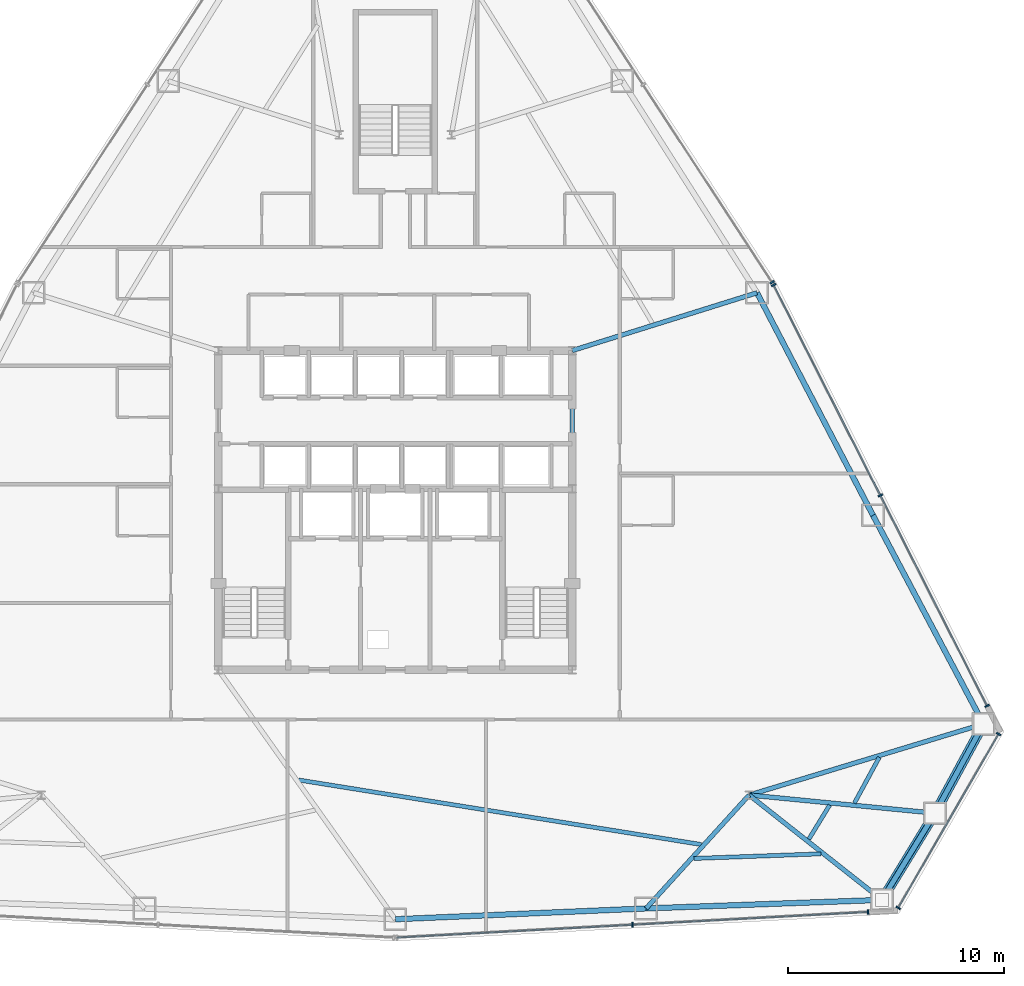
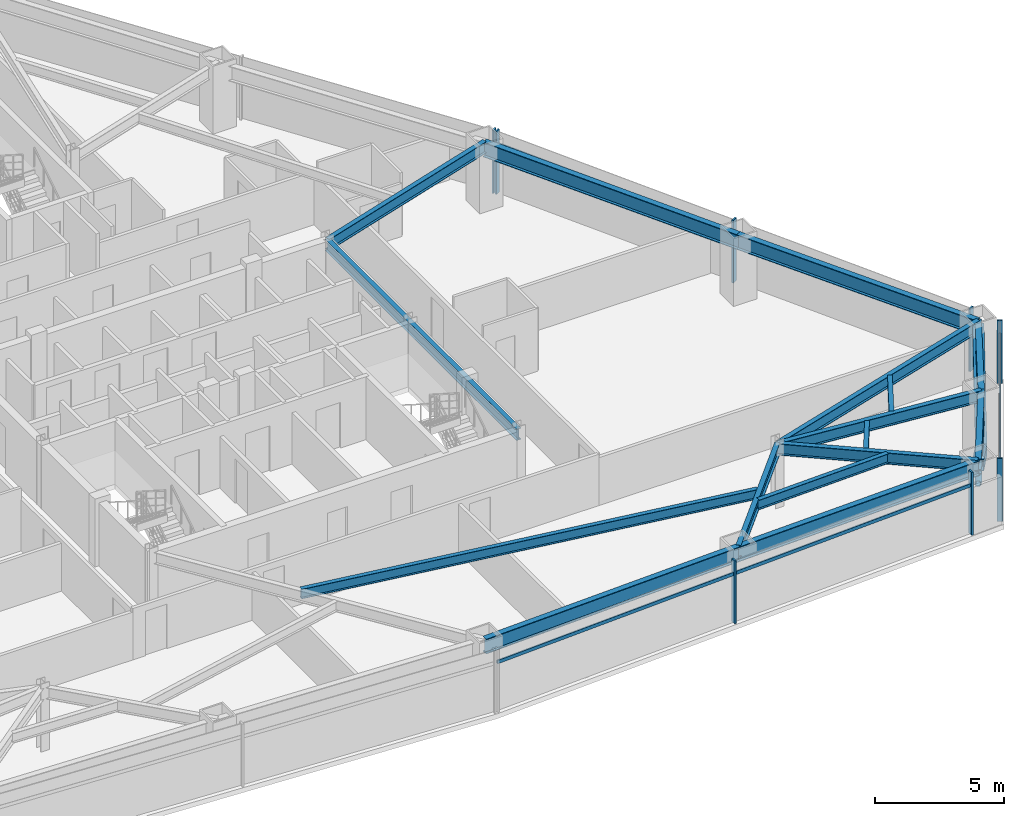
# One storey, part 6 of 12: 16 beams, 14 members, 4 elements without a shape of their own.
"""IFC4 building model written with IfcOpenShell, lengths in metres."""

from ifc_helpers import new_model, si_unit, direction, frame, origin, origin_2d, place, context, subcontext, project, spatial, rectangle, hollow_rectangle, hollow_circle, i_section, extrude, source, transform, mapped, material, layer, layer_set, material_profile, profile_set, type_object, type_shapes, element, aggregate, save


model = new_model("IFC4")

# Units and contexts
model_context = context("Model", 3, precision=1e-05, world=origin(), true_north=direction((0.0, 1.0)))
body_context = subcontext(model_context, "Body", "Model", "MODEL_VIEW")
ifc_project = project(units=[si_unit("LENGTHUNIT", "METRE"), si_unit("AREAUNIT", "SQUARE_METRE"), si_unit("VOLUMEUNIT", "CUBIC_METRE"), si_unit("PLANEANGLEUNIT", "RADIAN"), si_unit("MASSUNIT", "GRAM", prefix="KILO")], contexts=[model_context])

# Site, building, storey
site_placement = place(None, origin())
site = spatial("IfcSite", under=ifc_project, at=site_placement, CompositionType="ELEMENT")
building_placement = place(site_placement, origin())
building = spatial("IfcBuilding", under=site, at=building_placement, Name="Varakhsha Concourse Tower", CompositionType="ELEMENT")
storey_placement = place(building_placement, frame((0.0, 0.0, 76.60009765625)))
storey = spatial("IfcBuildingStorey", under=building, at=storey_placement, Name="L21", CompositionType="ELEMENT", Elevation=76.60009765625)

# Beams
ifc_material_1 = material(Name="Structural Steel ASTM A992 Grade 50", Category="steel")
ifc_material_profile_1 = material_profile(ifc_material_1, i_section(OverallWidth=0.19091796875, OverallDepth=0.45703125, WebThickness=0.009033203125, FlangeThickness=0.013916015625, at=origin_2d()), Name="W18X50")
ifc_profile_set_1 = profile_set([ifc_material_profile_1], Name="Structural Steel ASTM A992 Grade 50")
beam_type_1 = type_object("IfcBeamType", Name="BM-JST-W18X50", PredefinedType="JOIST", material=ifc_profile_set_1)
beam_1_placement = place(storey_placement, frame((35.5166015625, 11.2978515625, 2.741455078125), z_axis=(0.987396525677, -0.158265918886, 0.0), x_axis=(0.158265918886, 0.987396525677, 0.0)))
element("IfcBeam", 1, at=beam_1_placement, inside=storey, type_object=beam_type_1, Name="BM-TJST-L21-11", PredefinedType="JOIST", context=body_context, shape_type="SweptSolid", body=[
    extrude(i_section(OverallWidth=0.19091796875, OverallDepth=0.45703125, WebThickness=0.009033203125, FlangeThickness=0.013916015625, at=origin_2d()), origin(), (0.0, 0.0, 1.0), 18.91064453125),
])
beam_2_placement = place(storey_placement, frame((53.834228515625, 7.660888671875, 2.741455078125), z_axis=(0.999342904679, 0.036245811721, 0.0), x_axis=(-0.036245811721, 0.999342904679, 0.0)))
element("IfcBeam", 2, at=beam_2_placement, inside=storey, type_object=beam_type_1, Name="BM-TJST-L21-12", PredefinedType="JOIST", context=body_context, shape_type="SweptSolid", body=[
    extrude(i_section(OverallWidth=0.19091796875, OverallDepth=0.45703125, WebThickness=0.009033203125, FlangeThickness=0.013916015625, at=origin_2d()), origin(), (0.0, 0.0, 1.0), 5.9072265625),
])
beam_3_placement = place(storey_placement, frame((59.166015625, 8.555908203125, 2.741455078125), z_axis=(0.521727239591, 0.853112353368, 0.0), x_axis=(-0.853112353368, 0.521727239591, 0.0)))
element("IfcBeam", 3, at=beam_3_placement, inside=storey, type_object=beam_type_1, Name="BM-TJST-L21-13", PredefinedType="JOIST", context=body_context, shape_type="SweptSolid", body=[
    extrude(i_section(OverallWidth=0.19091796875, OverallDepth=0.45703125, WebThickness=0.009033203125, FlangeThickness=0.013916015625, at=origin_2d()), origin(), (0.0, 0.0, 1.0), 1.85205078125),
])
beam_4_placement = place(storey_placement, frame((61.27587890625, 10.2255859375, 2.741455078125), z_axis=(0.478009855634, 0.878354471678, 0.0), x_axis=(-0.878354471678, 0.478009855634, 0.0)))
element("IfcBeam", 4, at=beam_4_placement, inside=storey, type_object=beam_type_1, Name="BM-TJST-L21-14", PredefinedType="JOIST", context=body_context, shape_type="SweptSolid", body=[
    extrude(i_section(OverallWidth=0.19091796875, OverallDepth=0.45703125, WebThickness=0.009033203125, FlangeThickness=0.013916015625, at=origin_2d()), origin(), (0.0, 0.0, 1.0), 2.417236328125),
])
ifc_material_profile_2 = material_profile(ifc_material_1, i_section(OverallWidth=0.2109375, OverallDepth=0.5390625, WebThickness=0.011962890625, FlangeThickness=0.01904296875, at=origin_2d()), Name="W21X73")
ifc_profile_set_2 = profile_set([ifc_material_profile_2], Name="Structural Steel ASTM A992 Grade 50")
beam_type_2 = type_object("IfcBeamType", Name="BM-RAD-W21X73", PredefinedType="BEAM", material=ifc_profile_set_2)
beam_5_placement = place(storey_placement, frame((48.199951171875, 16.39990234375, 2.700439453125), z_axis=(0.0, 1.0, 0.0), x_axis=(-1.0, 0.0, 0.0)))
element("IfcBeam", 5, at=beam_5_placement, inside=storey, type_object=beam_type_2, Name="BM-TCORE-L21-CE", PredefinedType="BEAM", context=body_context, shape_type="SweptSolid", body=[
    extrude(i_section(OverallWidth=0.2109375, OverallDepth=0.5390625, WebThickness=0.011962890625, FlangeThickness=0.01904296875, at=origin_2d()), origin(), (0.0, 0.0, 1.0), 14.800048828125),
])
beam_6_placement = place(storey_placement, frame((56.39990234375, 10.60009765625, 2.700439453125), z_axis=(-0.672691612759, -0.739922964993, 0.0), x_axis=(0.739922964993, -0.672691612759, 0.0)))
element("IfcBeam", 6, at=beam_6_placement, inside=storey, type_object=beam_type_2, Name="L21 Radial Floor Girder 12", PredefinedType="BEAM", context=body_context, shape_type="SweptSolid", body=[
    extrude(i_section(OverallWidth=0.2109375, OverallDepth=0.5390625, WebThickness=0.011962890625, FlangeThickness=0.01904296875, at=origin_2d()), origin(), (0.0, 0.0, 1.0), 7.10302734375),
])
beam_7_placement = place(storey_placement, frame((56.39990234375, 10.60009765625, 2.700439453125), z_axis=(0.78494889691, -0.619560512976, 0.0), x_axis=(0.619560512976, 0.78494889691, 0.0)))
element("IfcBeam", 7, at=beam_7_placement, inside=storey, type_object=beam_type_2, Name="L21 Radial Floor Girder 13", PredefinedType="BEAM", context=body_context, shape_type="SweptSolid", body=[
    extrude(i_section(OverallWidth=0.2109375, OverallDepth=0.5390625, WebThickness=0.011962890625, FlangeThickness=0.01904296875, at=origin_2d()), origin(), (0.0, 0.0, 1.0), 7.8427734375),
])
beam_8_placement = place(storey_placement, frame((56.39990234375, 10.60009765625, 2.700439453125), z_axis=(0.995263322747, -0.097215834071, 0.0), x_axis=(0.097215834071, 0.995263322747, 0.0)))
element("IfcBeam", 8, at=beam_8_placement, inside=storey, type_object=beam_type_2, Name="L21 Radial Floor Girder 14", PredefinedType="BEAM", context=body_context, shape_type="SweptSolid", body=[
    extrude(i_section(OverallWidth=0.2109375, OverallDepth=0.5390625, WebThickness=0.011962890625, FlangeThickness=0.01904296875, at=origin_2d()), origin(), (0.0, 0.0, 1.0), 8.654052734375),
])
beam_9_placement = place(storey_placement, frame((56.39990234375, 10.60009765625, 2.700439453125), z_axis=(0.9569458756, 0.290266414131, 0.0), x_axis=(-0.290266414131, 0.9569458756, 0.0)))
element("IfcBeam", 9, at=beam_9_placement, inside=storey, type_object=beam_type_2, Name="L21 Radial Floor Girder 15", PredefinedType="BEAM", context=body_context, shape_type="SweptSolid", body=[
    extrude(i_section(OverallWidth=0.2109375, OverallDepth=0.5390625, WebThickness=0.011962890625, FlangeThickness=0.01904296875, at=origin_2d()), origin(), (0.0, 0.0, 1.0), 11.35302734375),
])
beam_10_placement = place(storey_placement, frame((48.199951171875, 31.199951171875, 2.700439453125), z_axis=(0.954407321853, 0.298507393532, 0.0), x_axis=(-0.298507393532, 0.954407321853, 0.0)))
element("IfcBeam", 10, at=beam_10_placement, inside=storey, type_object=beam_type_2, Name="L21 Radial Floor Girder 17", PredefinedType="BEAM", context=body_context, shape_type="SweptSolid", body=[
    extrude(i_section(OverallWidth=0.2109375, OverallDepth=0.5390625, WebThickness=0.011962890625, FlangeThickness=0.01904296875, at=origin_2d()), origin(), (0.0, 0.0, 1.0), 8.97216796875),
])
ifc_material_profile_3 = material_profile(ifc_material_1, i_section(OverallWidth=0.25390625, OverallDepth=0.701904296875, WebThickness=0.014892578125, FlangeThickness=0.028076171875, at=origin_2d()), Name="W27X129")
ifc_profile_set_3 = profile_set([ifc_material_profile_3], Name="Structural Steel ASTM A992 Grade 50")
beam_type_3 = type_object("IfcBeamType", Name="BM-SPAN-W27X129", PredefinedType="SPANDREL", material=ifc_profile_set_3)
beam_11_placement = place(storey_placement, frame((40.0, 4.84375, 2.618896484375), z_axis=(0.999073109275, 0.043045584251, 0.0), x_axis=(-0.043045584251, 0.999073109275, 0.0)))
element("IfcBeam", 11, at=beam_11_placement, inside=storey, type_object=beam_type_3, Name="BM-SPAN-L21-11", PredefinedType="SPANDREL", context=body_context, shape_type="SweptSolid", body=[
    extrude(i_section(OverallWidth=0.25390625, OverallDepth=0.701904296875, WebThickness=0.014892578125, FlangeThickness=0.028076171875, at=origin_2d()), origin(), (0.0, 0.0, 1.0), 11.632568359375),
])
beam_12_placement = place(storey_placement, frame((51.621826171875, 5.344482421875, 2.618896484375), z_axis=(0.999343234849, 0.036236707379, 0.0), x_axis=(-0.036236707379, 0.999343234849, 0.0)))
element("IfcBeam", 12, at=beam_12_placement, inside=storey, type_object=beam_type_3, Name="BM-SPAN-L21-12", PredefinedType="SPANDREL", context=body_context, shape_type="SweptSolid", body=[
    extrude(i_section(OverallWidth=0.25390625, OverallDepth=0.701904296875, WebThickness=0.014892578125, FlangeThickness=0.028076171875, at=origin_2d()), origin(), (0.0, 0.0, 1.0), 10.94140625),
])
beam_13_placement = place(storey_placement, frame((62.55615234375, 5.740966796875, 2.618896484375), z_axis=(0.521674363238, 0.853144688046, 0.0), x_axis=(-0.853144688046, 0.521674363238, 0.0)))
element("IfcBeam", 13, at=beam_13_placement, inside=storey, type_object=beam_type_3, Name="BM-SPAN-L21-13", PredefinedType="SPANDREL", context=body_context, shape_type="SweptSolid", body=[
    extrude(i_section(OverallWidth=0.25390625, OverallDepth=0.701904296875, WebThickness=0.014892578125, FlangeThickness=0.028076171875, at=origin_2d()), origin(), (0.0, 0.0, 1.0), 4.70947265625),
])
beam_14_placement = place(storey_placement, frame((65.012939453125, 9.7587890625, 2.618896484375), z_axis=(0.478005647914, 0.878356761551, 0.0), x_axis=(-0.878356761551, 0.478005647914, 0.0)))
element("IfcBeam", 14, at=beam_14_placement, inside=storey, type_object=beam_type_3, Name="BM-SPAN-L21-14", PredefinedType="SPANDREL", context=body_context, shape_type="SweptSolid", body=[
    extrude(i_section(OverallWidth=0.25390625, OverallDepth=0.701904296875, WebThickness=0.014892578125, FlangeThickness=0.028076171875, at=origin_2d()), origin(), (0.0, 0.0, 1.0), 4.709716796875),
])
beam_15_placement = place(storey_placement, frame((67.26416015625, 13.8955078125, 2.618896484375), z_axis=(-0.46832133516, 0.88355821938, 0.0), x_axis=(-0.88355821938, -0.46832133516, 0.0)))
element("IfcBeam", 15, at=beam_15_placement, inside=storey, type_object=beam_type_3, Name="BM-SPAN-L21-15", PredefinedType="SPANDREL", context=body_context, shape_type="SweptSolid", body=[
    extrude(i_section(OverallWidth=0.25390625, OverallDepth=0.701904296875, WebThickness=0.014892578125, FlangeThickness=0.028076171875, at=origin_2d()), origin(), (0.0, 0.0, 1.0), 10.941162109375),
])
beam_16_placement = place(storey_placement, frame((62.14013671875, 23.562744140625, 2.618896484375), z_axis=(-0.46224393277, 0.886752810324, 0.0), x_axis=(-0.886752810324, -0.46224393277, 0.0)))
element("IfcBeam", 16, at=beam_16_placement, inside=storey, type_object=beam_type_3, Name="BM-SPAN-L21-16", PredefinedType="SPANDREL", context=body_context, shape_type="SweptSolid", body=[
    extrude(i_section(OverallWidth=0.25390625, OverallDepth=0.701904296875, WebThickness=0.014892578125, FlangeThickness=0.028076171875, at=origin_2d()), origin(), (0.0, 0.0, 1.0), 11.6328125),
])

# Members
ifc_material_2 = material(Name="Structural Steel ASTM A500 Grade C", Category="steel")
ifc_material_profile_4 = material_profile(ifc_material_2, hollow_rectangle(XDim=0.449951171875, YDim=0.449951171875, WallThickness=0.01904296875, at=origin_2d()), Name="HSS 450x450x19")
ifc_profile_set_4 = profile_set([ifc_material_profile_4], Name="Structural Steel ASTM A500 Grade C")
member_type_1 = type_object("IfcMemberType", Name="MB-TUBE-HSS450", PredefinedType="BRACE", material=ifc_profile_set_4)
shared_shape_1 = source(origin(), body_context, "Body", "SweptSolid", [
    extrude(hollow_rectangle(XDim=0.449951171875, YDim=0.449951171875, WallThickness=0.01904296875, at=origin_2d()), origin(), (0.0, 0.0, 1.0), 5.35546875),
])
member_1_placement = place(storey_placement, frame((65.012939453125, 9.7587890625, 0.119873046875), z_axis=(-0.458740401684, -0.750222676192, 0.476154575732), x_axis=(0.853144688046, -0.521674363238, 0.0)))
element("IfcMember", 17, at=member_1_placement, inside=storey, type_object=member_type_1, Name="L21 Wind-Corner Tube Brace B05", PredefinedType="BRACE", context=body_context, shape_type="MappedRepresentation", body=[
    mapped(shared_shape_1, transform((0.0, 0.0, 0.0), scale=1.0)),
])
shared_shape_2 = source(origin(), body_context, "Body", "SweptSolid", [
    extrude(hollow_rectangle(XDim=0.449951171875, YDim=0.449951171875, WallThickness=0.01904296875, at=origin_2d()), origin(), (0.0, 0.0, 1.0), 5.355712890625),
])
type_shapes(member_type_1, [shared_shape_1, shared_shape_2])
member_2_placement = place(storey_placement, frame((65.012939453125, 9.7587890625, 0.119873046875), z_axis=(0.420343544228, 0.772400066523, 0.4761401496), x_axis=(-0.878356761551, 0.478005647914, 0.0)))
element("IfcMember", 18, at=member_2_placement, inside=storey, type_object=member_type_1, Name="L21 Wind-Corner Tube Brace B06", PredefinedType="BRACE", context=body_context, shape_type="MappedRepresentation", body=[
    mapped(shared_shape_2, transform((0.0, 0.0, 0.0), scale=1.0)),
])
ifc_material_profile_5 = material_profile(ifc_material_2, hollow_circle(Radius=0.136474609375, WallThickness=0.011962890625, at=origin_2d()), Name="CHS 273x12")
ifc_profile_set_5 = profile_set([ifc_material_profile_5], Name="Structural Steel ASTM A500 Grade C")
member_type_2 = type_object("IfcMemberType", Name="MB-WIND-CHS273", PredefinedType="COLLAR", material=ifc_profile_set_5)
shared_shape_3 = source(origin(), body_context, "Body", "SweptSolid", [
    extrude(hollow_circle(Radius=0.136474609375, WallThickness=0.011962890625, at=origin_2d()), origin(), (0.0, 0.0, 1.0), 4.70947265625),
])
type_shapes(member_type_2, [shared_shape_3])
member_3_placement = place(storey_placement, frame((62.55615234375, 5.740966796875, 1.7998046875), z_axis=(0.521674363238, 0.853144688046, 0.0), x_axis=(-0.853144688046, 0.521674363238, 0.0)))
element("IfcMember", 19, at=member_3_placement, inside=storey, type_object=member_type_2, Name="L21 Wind-Corner Collar Tie 3", PredefinedType="COLLAR", context=body_context, shape_type="MappedRepresentation", body=[
    mapped(shared_shape_3, transform((0.0, 0.0, 0.0), scale=1.0)),
])

# Curtain wall, member
ifc_material_3 = material(Name="Anodised Bronze Architectural Aluminium AA 6063-T6", Category="aluminium")
ifc_layer = layer(ifc_material_3, 0.199951171875, Name="CW-SYS-03")
ifc_layer_set = layer_set([ifc_layer], Name="Anodised Bronze Architectural Aluminium AA 6063-T6")
curtain_wall_type = type_object("IfcCurtainWallType", Name="CW-SYS-03", PredefinedType="NOTDEFINED", material=ifc_layer_set)
curtain_wall_1_placement = place(storey_placement, origin())
curtain_wall_1 = element("IfcCurtainWall", 20, at=curtain_wall_1_placement, inside=storey, type_object=curtain_wall_type, Name="L21 Crystal Curtain Wall F6", PredefinedType="NOTDEFINED")
ifc_material_profile_6 = material_profile(ifc_material_3, rectangle(XDim=0.06494140625, YDim=0.159912109375, at=origin_2d()), Name="CWT-160X65")
ifc_profile_set_6 = profile_set([ifc_material_profile_6], Name="Anodised Bronze Architectural Aluminium AA 6063-T6")
member_type_3 = type_object("IfcMemberType", Name="CWT-160X65", PredefinedType="USERDEFINED", material=ifc_profile_set_6)
shared_shape_4 = source(origin(), body_context, "Body", "SweptSolid", [
    extrude(rectangle(XDim=0.06494140625, YDim=0.159912109375, at=origin_2d()), origin(), (0.0, 0.0, 1.0), 21.87353515625),
])
member_4_placement = place(storey_placement, frame((61.91259765625, 5.1826171875, 2.31982421875), z_axis=(-0.998527064655, -0.054255885865, 0.0), x_axis=(0.054255885865, -0.998527064655, 0.0)))
member_4 = element("IfcMember", 21, at=member_4_placement, type_object=member_type_3, Name="CW-L21-F6 Transom 01", ObjectType="TRANSOM", PredefinedType="USERDEFINED", context=body_context, shape_type="MappedRepresentation", body=[
    mapped(shared_shape_4, transform((0.0, 0.0, 0.0), scale=1.0)),
])

curtain_wall_2_placement = place(storey_placement, origin())
curtain_wall_2 = element("IfcCurtainWall", 22, at=curtain_wall_2_placement, inside=storey, type_object=curtain_wall_type, Name="L21 Crystal Curtain Wall F8", PredefinedType="NOTDEFINED")
shared_shape_5 = source(origin(), body_context, "Body", "SweptSolid", [
    extrude(rectangle(XDim=0.06494140625, YDim=0.159912109375, at=origin_2d()), origin(), (0.0, 0.0, 1.0), 21.873779296875),
])
member_5_placement = place(storey_placement, frame((57.532958984375, 34.240478515625, 2.31982421875), z_axis=(0.452269221252, -0.891881467185, 0.0), x_axis=(0.891881467185, 0.452269221252, 0.0)))
member_5 = element("IfcMember", 23, at=member_5_placement, type_object=member_type_3, Name="CW-L21-F8 Transom 01", ObjectType="TRANSOM", PredefinedType="USERDEFINED", context=body_context, shape_type="MappedRepresentation", body=[
    mapped(shared_shape_5, transform((0.0, 0.0, 0.0), scale=1.0)),
])

curtain_wall_3_placement = place(storey_placement, origin())
curtain_wall_3 = element("IfcCurtainWall", 24, at=curtain_wall_3_placement, inside=storey, type_object=curtain_wall_type, Name="L21 Chamfer Curtain Wall F7", PredefinedType="NOTDEFINED")
shared_shape_6 = source(origin(), body_context, "Body", "SweptSolid", [
    extrude(rectangle(XDim=0.06494140625, YDim=0.159912109375, at=origin_2d()), origin(), (0.0, 0.0, 1.0), 9.302734375),
])
type_shapes(member_type_3, [shared_shape_4, shared_shape_5, shared_shape_6])
member_6_placement = place(storey_placement, frame((67.962158203125, 13.427001953125, 2.31982421875), z_axis=(-0.500000363486, -0.866025193926, 0.0), x_axis=(0.866025193926, -0.500000363486, 0.0)))
member_6 = element("IfcMember", 25, at=member_6_placement, type_object=member_type_3, Name="CW-L21-F7 Transom 01", ObjectType="TRANSOM", PredefinedType="USERDEFINED", context=body_context, shape_type="MappedRepresentation", body=[
    mapped(shared_shape_6, transform((0.0, 0.0, 0.0), scale=1.0)),
])

# Member
ifc_material_profile_7 = material_profile(ifc_material_3, rectangle(XDim=0.074951171875, YDim=0.219970703125, at=origin_2d()), Name="CWM-220X75")
ifc_profile_set_7 = profile_set([ifc_material_profile_7], Name="Anodised Bronze Architectural Aluminium AA 6063-T6")
member_type_4 = type_object("IfcMemberType", Name="CWM-220X75", PredefinedType="MULLION", material=ifc_profile_set_7)
shared_shape_7 = source(origin(), body_context, "Body", "SweptSolid", [
    extrude(rectangle(XDim=0.074951171875, YDim=0.219970703125, at=origin_2d()), origin(), (0.0, 0.0, 1.0), 2.969970703125),
])
type_shapes(member_type_4, [shared_shape_7])
member_7_placement = place(storey_placement, frame((61.91259765625, 5.1826171875, 0.0), z_axis=(0.0, 0.0, 1.0), x_axis=(-0.998527027199, -0.054256575203, 0.0)))
member_7 = element("IfcMember", 26, at=member_7_placement, type_object=member_type_4, Name="CW-L21-F6 Mullion 00", PredefinedType="MULLION", context=body_context, shape_type="MappedRepresentation", body=[
    mapped(shared_shape_7, transform((0.0, 0.0, 0.0), scale=1.0)),
])

member_8_placement = place(storey_placement, frame((50.991943359375, 4.58935546875, 0.0), z_axis=(0.0, 0.0, 1.0), x_axis=(-0.998527027199, -0.054256575203, 0.0)))
member_8 = element("IfcMember", 27, at=member_8_placement, type_object=member_type_4, Name="CW-L21-F6 Mullion 01", PredefinedType="MULLION", context=body_context, shape_type="MappedRepresentation", body=[
    mapped(shared_shape_7, transform((0.0, 0.0, 0.0), scale=1.0)),
])

aggregate(curtain_wall_1, [member_7, member_8, member_4])

member_9_placement = place(storey_placement, frame((67.962158203125, 13.427001953125, 0.0), z_axis=(0.0, 0.0, 1.0), x_axis=(-0.49999395399, -0.866028894422, 0.0)))
member_9 = element("IfcMember", 28, at=member_9_placement, type_object=member_type_4, Name="CW-L21-F7 Mullion 00", PredefinedType="MULLION", context=body_context, shape_type="MappedRepresentation", body=[
    mapped(shared_shape_7, transform((0.0, 0.0, 0.0), scale=1.0)),
])

member_10_placement = place(storey_placement, frame((63.310791015625, 5.37060546875, 0.0), z_axis=(0.0, 0.0, 1.0), x_axis=(-0.49999395399, -0.866028894422, 0.0)))
member_10 = element("IfcMember", 29, at=member_10_placement, type_object=member_type_4, Name="CW-L21-F7 Mullion 01", PredefinedType="MULLION", context=body_context, shape_type="MappedRepresentation", body=[
    mapped(shared_shape_7, transform((0.0, 0.0, 0.0), scale=1.0)),
])

aggregate(curtain_wall_3, [member_9, member_10, member_6])

member_11_placement = place(storey_placement, frame((57.532958984375, 34.240478515625, 0.0), z_axis=(0.0, 0.0, 1.0), x_axis=(0.45227438453, -0.891878848891, 0.0)))
member_11 = element("IfcMember", 30, at=member_11_placement, type_object=member_type_4, Name="CW-L21-F8 Mullion 00", PredefinedType="MULLION", context=body_context, shape_type="MappedRepresentation", body=[
    mapped(shared_shape_7, transform((0.0, 0.0, 0.0), scale=1.0)),
])

member_12_placement = place(storey_placement, frame((62.479248046875, 24.486083984375, 0.0), z_axis=(0.0, 0.0, 1.0), x_axis=(0.45227438453, -0.891878848891, 0.0)))
member_12 = element("IfcMember", 31, at=member_12_placement, type_object=member_type_4, Name="CW-L21-F8 Mullion 01", PredefinedType="MULLION", context=body_context, shape_type="MappedRepresentation", body=[
    mapped(shared_shape_7, transform((0.0, 0.0, 0.0), scale=1.0)),
])

member_13_placement = place(storey_placement, frame((67.42578125, 14.731689453125, 0.0), z_axis=(0.0, 0.0, 1.0), x_axis=(0.45227438453, -0.891878848891, 0.0)))
member_13 = element("IfcMember", 32, at=member_13_placement, type_object=member_type_4, Name="CW-L21-F8 Mullion 02", PredefinedType="MULLION", context=body_context, shape_type="MappedRepresentation", body=[
    mapped(shared_shape_7, transform((0.0, 0.0, 0.0), scale=1.0)),
])

aggregate(curtain_wall_2, [member_11, member_12, member_13, member_5])

# Curtain wall, member
curtain_wall_4_placement = place(storey_placement, origin())
curtain_wall_4 = element("IfcCurtainWall", 33, at=curtain_wall_4_placement, inside=storey, type_object=curtain_wall_type, Name="L21 Crystal Curtain Wall F9", PredefinedType="NOTDEFINED")
member_14_placement = place(storey_placement, frame((57.461669921875, 34.36376953125, 0.0), z_axis=(0.0, 0.0, 1.0), x_axis=(0.546249624122, -0.837622437705, 0.0)))
member_14 = element("IfcMember", 34, at=member_14_placement, type_object=member_type_4, Name="CW-L21-F9 Mullion 02", PredefinedType="MULLION", context=body_context, shape_type="MappedRepresentation", body=[
    mapped(shared_shape_7, transform((0.0, 0.0, 0.0), scale=1.0)),
])
aggregate(curtain_wall_4, [member_14])

save(model, "model.ifc")
